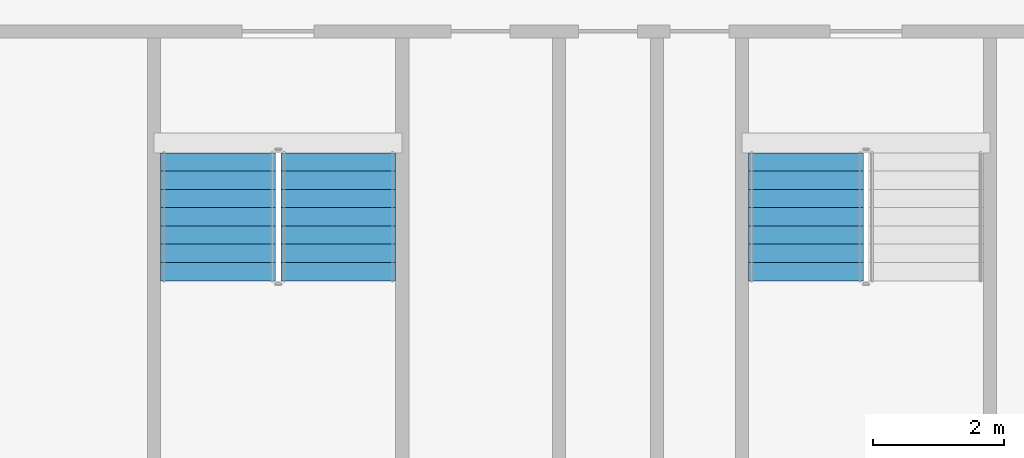
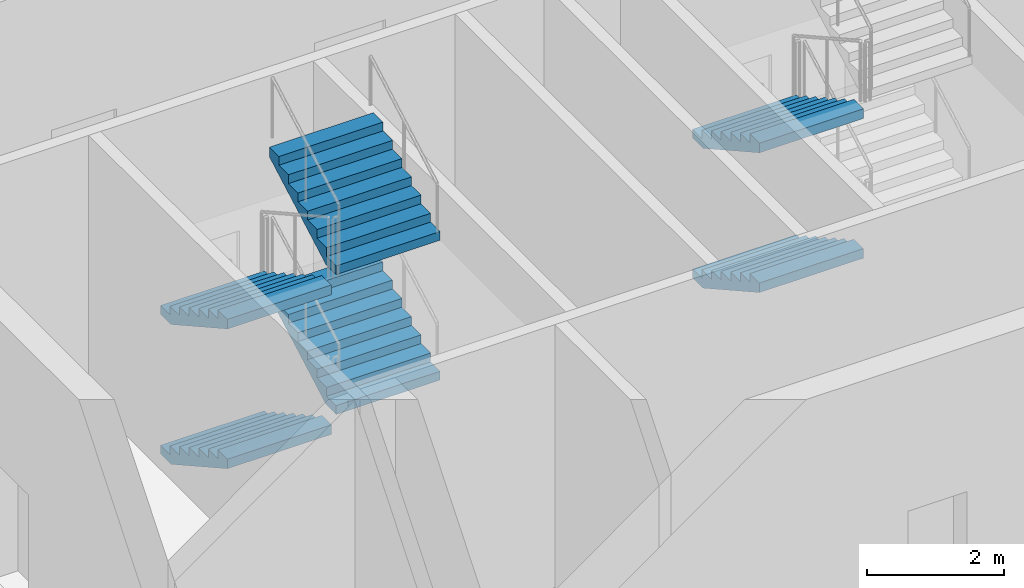
# One storey, part 6 of 21: 6 stair flights, 2 elements without a shape of their own.
"""IFC4 building model written with IfcOpenShell, lengths in metres."""

from ifc_helpers import new_model, si_unit, direction, frame, origin, place, context, subcontext, project, spatial, faceted_brep, material, type_object, element, aggregate, save


model = new_model("IFC4")

# Units and contexts
model_context = context("Model", 3, precision=1e-05, world=origin(), true_north=direction((0.0, 1.0)))
body_context = subcontext(model_context, "Body", "Model", "MODEL_VIEW")
ifc_project = project(units=[si_unit("LENGTHUNIT", "METRE"), si_unit("AREAUNIT", "SQUARE_METRE"), si_unit("VOLUMEUNIT", "CUBIC_METRE"), si_unit("PLANEANGLEUNIT", "RADIAN"), si_unit("MASSUNIT", "GRAM", prefix="KILO")], contexts=[model_context])

# Site, building, storey
site_placement = place(None, origin())
site = spatial("IfcSite", under=ifc_project, at=site_placement, CompositionType="ELEMENT")
building_placement = place(site_placement, origin())
building = spatial("IfcBuilding", under=site, at=building_placement, Name="Tarsis Ring Headquarters", CompositionType="ELEMENT")
storey_placement = place(building_placement, frame((0.0, 0.0, 398.60009765625)))
storey = spatial("IfcBuildingStorey", under=building, at=storey_placement, Name="L94", CompositionType="ELEMENT", Elevation=398.60009765625)

# Stair, stair flights
ifc_material_1 = material(Name="Core stair 1760")
stair_type = type_object("IfcStairType", Name="Core stair 1760", PredefinedType="HALF_TURN_STAIR", material=ifc_material_1)
stair_1_placement = place(storey_placement, origin())
stair_1 = element("IfcStair", 1, at=stair_1_placement, inside=storey, type_object=stair_type, Name="L94 Exit stair C", PredefinedType="HALF_TURN_STAIR")
ifc_material_2 = material(Name="Concrete C40/50", Category="concrete")
stair_flight_type = type_object("IfcStairFlightType", Name="Core stair flight 1760", PredefinedType="STRAIGHT", material=ifc_material_2)
stair_flight_1_placement = place(storey_placement, frame((-5.419921875, -3.659912109375, 0.0), z_axis=(0.0, 0.0, 1.0), x_axis=(0.0, -1.0, 0.0)))
stair_flight_1 = element("IfcStairFlight", 2, at=stair_flight_1_placement, type_object=stair_flight_type, Name="Stair ST3 flight 1", NumberOfRisers=8, NumberOfTreads=7, PredefinedType="STRAIGHT", RiserHeight=0.15625, TreadLength=0.28, context=body_context, shape_type="Brep", body=[
    faceted_brep([(0.0, 0.8798828125, 0.0), (0.0, 0.8798828125, 0.15625), (0.280029296875, 0.8798828125, 0.15625), (0.280029296875, 0.8798828125, 0.3125), (0.56005859375, 0.8798828125, 0.3125), (0.56005859375, 0.8798828125, 0.46875), (0.840087890625, 0.8798828125, 0.46875), (0.840087890625, 0.8798828125, 0.625), (1.1201171875, 0.8798828125, 0.625), (1.1201171875, 0.8798828125, 0.78125), (1.39990234375, 0.8798828125, 0.78125), (1.39990234375, 0.8798828125, 0.9375), (1.679931640625, 0.8798828125, 0.9375), (1.679931640625, 0.8798828125, 1.09375), (1.9599609375, 0.8798828125, 1.09375), (1.9599609375, 0.8798828125, 0.922119140625), (0.3076171875, 0.8798828125, 0.0), (0.3076171875, -0.8798828125, 0.0), (1.9599609375, -0.8798828125, 0.922119140625), (1.9599609375, -0.8798828125, 1.09375), (1.679931640625, -0.8798828125, 1.09375), (1.679931640625, -0.8798828125, 0.9375), (1.39990234375, -0.8798828125, 0.9375), (1.39990234375, -0.8798828125, 0.78125), (1.1201171875, -0.8798828125, 0.78125), (1.1201171875, -0.8798828125, 0.625), (0.840087890625, -0.8798828125, 0.625), (0.840087890625, -0.8798828125, 0.46875), (0.56005859375, -0.8798828125, 0.46875), (0.56005859375, -0.8798828125, 0.3125), (0.280029296875, -0.8798828125, 0.3125), (0.280029296875, -0.8798828125, 0.15625), (0.0, -0.8798828125, 0.15625), (0.0, -0.8798828125, 0.0), (0.0, -0.43994140625, 0.15625), (0.0, -0.43994140625, 0.0), (0.0, 0.0, 0.15625), (0.0, 0.0, 0.0), (0.0, 0.43994140625, 0.15625), (0.0, 0.43994140625, 0.0), (0.280029296875, -0.43994140625, 0.15625), (0.280029296875, 0.0, 0.15625), (0.280029296875, 0.43994140625, 0.15625), (0.280029296875, -0.43994140625, 0.3125), (0.280029296875, 0.0, 0.3125), (0.280029296875, 0.43994140625, 0.3125), (0.56005859375, -0.43994140625, 0.3125), (0.56005859375, 0.0, 0.3125), (0.56005859375, 0.43994140625, 0.3125), (0.56005859375, -0.43994140625, 0.46875), (0.56005859375, 0.0, 0.46875), (0.56005859375, 0.43994140625, 0.46875), (0.840087890625, -0.43994140625, 0.46875), (0.840087890625, 0.0, 0.46875), (0.840087890625, 0.43994140625, 0.46875), (0.840087890625, -0.43994140625, 0.625), (0.840087890625, 0.0, 0.625), (0.840087890625, 0.43994140625, 0.625), (1.1201171875, -0.43994140625, 0.625), (1.1201171875, 0.0, 0.625), (1.1201171875, 0.43994140625, 0.625), (1.1201171875, -0.43994140625, 0.78125), (1.1201171875, 0.0, 0.78125), (1.1201171875, 0.43994140625, 0.78125), (1.39990234375, -0.43994140625, 0.78125), (1.39990234375, 0.0, 0.78125), (1.39990234375, 0.43994140625, 0.78125), (1.39990234375, -0.43994140625, 0.9375), (1.39990234375, 0.0, 0.9375), (1.39990234375, 0.43994140625, 0.9375), (1.679931640625, -0.43994140625, 0.9375), (1.679931640625, 0.0, 0.9375), (1.679931640625, 0.43994140625, 0.9375), (1.679931640625, -0.43994140625, 1.09375), (1.679931640625, 0.0, 1.09375), (1.679931640625, 0.43994140625, 1.09375), (1.9599609375, -0.43994140625, 1.09375), (1.9599609375, 0.0, 1.09375), (1.9599609375, 0.43994140625, 1.09375), (1.9599609375, -0.43994140625, 0.922119140625), (1.9599609375, 0.0, 0.922119140625), (1.9599609375, 0.43994140625, 0.922119140625), (0.3076171875, -0.43994140625, 0.0), (0.3076171875, 0.0, 0.0), (0.3076171875, 0.43994140625, 0.0)], [[[0, 1, 2, 3, 4, 5, 6, 7, 8, 9, 10, 11, 12, 13, 14, 15, 16]], [[17, 18, 19, 20, 21, 22, 23, 24, 25, 26, 27, 28, 29, 30, 31, 32, 33]], [[33, 32, 34, 35]], [[35, 34, 36, 37]], [[37, 36, 38, 39]], [[39, 38, 1, 0]], [[32, 31, 40, 34]], [[34, 40, 41, 36]], [[36, 41, 42, 38]], [[38, 42, 2, 1]], [[31, 30, 43, 40]], [[40, 43, 44, 41]], [[41, 44, 45, 42]], [[42, 45, 3, 2]], [[30, 29, 46, 43]], [[43, 46, 47, 44]], [[44, 47, 48, 45]], [[45, 48, 4, 3]], [[29, 28, 49, 46]], [[46, 49, 50, 47]], [[47, 50, 51, 48]], [[48, 51, 5, 4]], [[28, 27, 52, 49]], [[49, 52, 53, 50]], [[50, 53, 54, 51]], [[51, 54, 6, 5]], [[27, 26, 55, 52]], [[52, 55, 56, 53]], [[53, 56, 57, 54]], [[54, 57, 7, 6]], [[26, 25, 58, 55]], [[55, 58, 59, 56]], [[56, 59, 60, 57]], [[57, 60, 8, 7]], [[25, 24, 61, 58]], [[58, 61, 62, 59]], [[59, 62, 63, 60]], [[60, 63, 9, 8]], [[24, 23, 64, 61]], [[61, 64, 65, 62]], [[62, 65, 66, 63]], [[63, 66, 10, 9]], [[23, 22, 67, 64]], [[64, 67, 68, 65]], [[65, 68, 69, 66]], [[66, 69, 11, 10]], [[22, 21, 70, 67]], [[67, 70, 71, 68]], [[68, 71, 72, 69]], [[69, 72, 12, 11]], [[21, 20, 73, 70]], [[70, 73, 74, 71]], [[71, 74, 75, 72]], [[72, 75, 13, 12]], [[20, 19, 76, 73]], [[73, 76, 77, 74]], [[74, 77, 78, 75]], [[75, 78, 14, 13]], [[19, 18, 79, 76]], [[76, 79, 80, 77]], [[77, 80, 81, 78]], [[78, 81, 15, 14]], [[18, 17, 82, 79]], [[79, 82, 83, 80]], [[80, 83, 84, 81]], [[81, 84, 16, 15]], [[17, 33, 35, 82]], [[82, 35, 37, 83]], [[83, 37, 39, 84]], [[84, 39, 0, 16]]]),
])
stair_flight_2_placement = place(storey_placement, frame((-3.580078125, -5.6201171875, 1.25), z_axis=(0.0, 0.0, 1.0), x_axis=(0.0, 1.0, 0.0)))
stair_flight_2 = element("IfcStairFlight", 3, at=stair_flight_2_placement, type_object=stair_flight_type, Name="Stair ST3 flight 2", NumberOfRisers=8, NumberOfTreads=7, PredefinedType="STRAIGHT", RiserHeight=0.15625, TreadLength=0.28, context=body_context, shape_type="Brep", body=[
    faceted_brep([(0.0, 0.8798828125, 0.0), (0.0, 0.8798828125, 0.15625), (0.280029296875, 0.8798828125, 0.15625), (0.280029296875, 0.8798828125, 0.3125), (0.56005859375, 0.8798828125, 0.3125), (0.56005859375, 0.8798828125, 0.46875), (0.840087890625, 0.8798828125, 0.46875), (0.840087890625, 0.8798828125, 0.625), (1.1201171875, 0.8798828125, 0.625), (1.1201171875, 0.8798828125, 0.78125), (1.39990234375, 0.8798828125, 0.78125), (1.39990234375, 0.8798828125, 0.9375), (1.679931640625, 0.8798828125, 0.9375), (1.679931640625, 0.8798828125, 1.09375), (1.9599609375, 0.8798828125, 1.09375), (1.9599609375, 0.8798828125, 0.922119140625), (0.3076171875, 0.8798828125, 0.0), (0.3076171875, -0.8798828125, 0.0), (1.9599609375, -0.8798828125, 0.922119140625), (1.9599609375, -0.8798828125, 1.09375), (1.679931640625, -0.8798828125, 1.09375), (1.679931640625, -0.8798828125, 0.9375), (1.39990234375, -0.8798828125, 0.9375), (1.39990234375, -0.8798828125, 0.78125), (1.1201171875, -0.8798828125, 0.78125), (1.1201171875, -0.8798828125, 0.625), (0.840087890625, -0.8798828125, 0.625), (0.840087890625, -0.8798828125, 0.46875), (0.56005859375, -0.8798828125, 0.46875), (0.56005859375, -0.8798828125, 0.3125), (0.280029296875, -0.8798828125, 0.3125), (0.280029296875, -0.8798828125, 0.15625), (0.0, -0.8798828125, 0.15625), (0.0, -0.8798828125, 0.0), (0.0, -0.43994140625, 0.15625), (0.0, -0.43994140625, 0.0), (0.0, 0.0, 0.15625), (0.0, 0.0, 0.0), (0.0, 0.43994140625, 0.15625), (0.0, 0.43994140625, 0.0), (0.280029296875, -0.43994140625, 0.15625), (0.280029296875, 0.0, 0.15625), (0.280029296875, 0.43994140625, 0.15625), (0.280029296875, -0.43994140625, 0.3125), (0.280029296875, 0.0, 0.3125), (0.280029296875, 0.43994140625, 0.3125), (0.56005859375, -0.43994140625, 0.3125), (0.56005859375, 0.0, 0.3125), (0.56005859375, 0.43994140625, 0.3125), (0.56005859375, -0.43994140625, 0.46875), (0.56005859375, 0.0, 0.46875), (0.56005859375, 0.43994140625, 0.46875), (0.840087890625, -0.43994140625, 0.46875), (0.840087890625, 0.0, 0.46875), (0.840087890625, 0.43994140625, 0.46875), (0.840087890625, -0.43994140625, 0.625), (0.840087890625, 0.0, 0.625), (0.840087890625, 0.43994140625, 0.625), (1.1201171875, -0.43994140625, 0.625), (1.1201171875, 0.0, 0.625), (1.1201171875, 0.43994140625, 0.625), (1.1201171875, -0.43994140625, 0.78125), (1.1201171875, 0.0, 0.78125), (1.1201171875, 0.43994140625, 0.78125), (1.39990234375, -0.43994140625, 0.78125), (1.39990234375, 0.0, 0.78125), (1.39990234375, 0.43994140625, 0.78125), (1.39990234375, -0.43994140625, 0.9375), (1.39990234375, 0.0, 0.9375), (1.39990234375, 0.43994140625, 0.9375), (1.679931640625, -0.43994140625, 0.9375), (1.679931640625, 0.0, 0.9375), (1.679931640625, 0.43994140625, 0.9375), (1.679931640625, -0.43994140625, 1.09375), (1.679931640625, 0.0, 1.09375), (1.679931640625, 0.43994140625, 1.09375), (1.9599609375, -0.43994140625, 1.09375), (1.9599609375, 0.0, 1.09375), (1.9599609375, 0.43994140625, 1.09375), (1.9599609375, -0.43994140625, 0.922119140625), (1.9599609375, 0.0, 0.922119140625), (1.9599609375, 0.43994140625, 0.922119140625), (0.3076171875, -0.43994140625, 0.0), (0.3076171875, 0.0, 0.0), (0.3076171875, 0.43994140625, 0.0)], [[[0, 1, 2, 3, 4, 5, 6, 7, 8, 9, 10, 11, 12, 13, 14, 15, 16]], [[17, 18, 19, 20, 21, 22, 23, 24, 25, 26, 27, 28, 29, 30, 31, 32, 33]], [[33, 32, 34, 35]], [[35, 34, 36, 37]], [[37, 36, 38, 39]], [[39, 38, 1, 0]], [[32, 31, 40, 34]], [[34, 40, 41, 36]], [[36, 41, 42, 38]], [[38, 42, 2, 1]], [[31, 30, 43, 40]], [[40, 43, 44, 41]], [[41, 44, 45, 42]], [[42, 45, 3, 2]], [[30, 29, 46, 43]], [[43, 46, 47, 44]], [[44, 47, 48, 45]], [[45, 48, 4, 3]], [[29, 28, 49, 46]], [[46, 49, 50, 47]], [[47, 50, 51, 48]], [[48, 51, 5, 4]], [[28, 27, 52, 49]], [[49, 52, 53, 50]], [[50, 53, 54, 51]], [[51, 54, 6, 5]], [[27, 26, 55, 52]], [[52, 55, 56, 53]], [[53, 56, 57, 54]], [[54, 57, 7, 6]], [[26, 25, 58, 55]], [[55, 58, 59, 56]], [[56, 59, 60, 57]], [[57, 60, 8, 7]], [[25, 24, 61, 58]], [[58, 61, 62, 59]], [[59, 62, 63, 60]], [[60, 63, 9, 8]], [[24, 23, 64, 61]], [[61, 64, 65, 62]], [[62, 65, 66, 63]], [[63, 66, 10, 9]], [[23, 22, 67, 64]], [[64, 67, 68, 65]], [[65, 68, 69, 66]], [[66, 69, 11, 10]], [[22, 21, 70, 67]], [[67, 70, 71, 68]], [[68, 71, 72, 69]], [[69, 72, 12, 11]], [[21, 20, 73, 70]], [[70, 73, 74, 71]], [[71, 74, 75, 72]], [[72, 75, 13, 12]], [[20, 19, 76, 73]], [[73, 76, 77, 74]], [[74, 77, 78, 75]], [[75, 78, 14, 13]], [[19, 18, 79, 76]], [[76, 79, 80, 77]], [[77, 80, 81, 78]], [[78, 81, 15, 14]], [[18, 17, 82, 79]], [[79, 82, 83, 80]], [[80, 83, 84, 81]], [[81, 84, 16, 15]], [[17, 33, 35, 82]], [[82, 35, 37, 83]], [[83, 37, 39, 84]], [[84, 39, 0, 16]]]),
])
stair_flight_3_placement = place(storey_placement, frame((-5.419921875, -3.659912109375, 2.5), z_axis=(0.0, 0.0, 1.0), x_axis=(0.0, -1.0, 0.0)))
stair_flight_3 = element("IfcStairFlight", 4, at=stair_flight_3_placement, type_object=stair_flight_type, Name="Stair ST3 flight 3", NumberOfRisers=8, NumberOfTreads=7, PredefinedType="STRAIGHT", RiserHeight=0.15625, TreadLength=0.28, context=body_context, shape_type="Brep", body=[
    faceted_brep([(0.0, 0.8798828125, 0.0), (0.0, 0.8798828125, 0.15625), (0.280029296875, 0.8798828125, 0.15625), (0.280029296875, 0.8798828125, 0.3125), (0.56005859375, 0.8798828125, 0.3125), (0.56005859375, 0.8798828125, 0.46875), (0.840087890625, 0.8798828125, 0.46875), (0.840087890625, 0.8798828125, 0.625), (1.1201171875, 0.8798828125, 0.625), (1.1201171875, 0.8798828125, 0.78125), (1.39990234375, 0.8798828125, 0.78125), (1.39990234375, 0.8798828125, 0.9375), (1.679931640625, 0.8798828125, 0.9375), (1.679931640625, 0.8798828125, 1.09375), (1.9599609375, 0.8798828125, 1.09375), (1.9599609375, 0.8798828125, 0.922119140625), (0.3076171875, 0.8798828125, 0.0), (0.3076171875, -0.8798828125, 0.0), (1.9599609375, -0.8798828125, 0.922119140625), (1.9599609375, -0.8798828125, 1.09375), (1.679931640625, -0.8798828125, 1.09375), (1.679931640625, -0.8798828125, 0.9375), (1.39990234375, -0.8798828125, 0.9375), (1.39990234375, -0.8798828125, 0.78125), (1.1201171875, -0.8798828125, 0.78125), (1.1201171875, -0.8798828125, 0.625), (0.840087890625, -0.8798828125, 0.625), (0.840087890625, -0.8798828125, 0.46875), (0.56005859375, -0.8798828125, 0.46875), (0.56005859375, -0.8798828125, 0.3125), (0.280029296875, -0.8798828125, 0.3125), (0.280029296875, -0.8798828125, 0.15625), (0.0, -0.8798828125, 0.15625), (0.0, -0.8798828125, 0.0), (0.0, -0.43994140625, 0.15625), (0.0, -0.43994140625, 0.0), (0.0, 0.0, 0.15625), (0.0, 0.0, 0.0), (0.0, 0.43994140625, 0.15625), (0.0, 0.43994140625, 0.0), (0.280029296875, -0.43994140625, 0.15625), (0.280029296875, 0.0, 0.15625), (0.280029296875, 0.43994140625, 0.15625), (0.280029296875, -0.43994140625, 0.3125), (0.280029296875, 0.0, 0.3125), (0.280029296875, 0.43994140625, 0.3125), (0.56005859375, -0.43994140625, 0.3125), (0.56005859375, 0.0, 0.3125), (0.56005859375, 0.43994140625, 0.3125), (0.56005859375, -0.43994140625, 0.46875), (0.56005859375, 0.0, 0.46875), (0.56005859375, 0.43994140625, 0.46875), (0.840087890625, -0.43994140625, 0.46875), (0.840087890625, 0.0, 0.46875), (0.840087890625, 0.43994140625, 0.46875), (0.840087890625, -0.43994140625, 0.625), (0.840087890625, 0.0, 0.625), (0.840087890625, 0.43994140625, 0.625), (1.1201171875, -0.43994140625, 0.625), (1.1201171875, 0.0, 0.625), (1.1201171875, 0.43994140625, 0.625), (1.1201171875, -0.43994140625, 0.78125), (1.1201171875, 0.0, 0.78125), (1.1201171875, 0.43994140625, 0.78125), (1.39990234375, -0.43994140625, 0.78125), (1.39990234375, 0.0, 0.78125), (1.39990234375, 0.43994140625, 0.78125), (1.39990234375, -0.43994140625, 0.9375), (1.39990234375, 0.0, 0.9375), (1.39990234375, 0.43994140625, 0.9375), (1.679931640625, -0.43994140625, 0.9375), (1.679931640625, 0.0, 0.9375), (1.679931640625, 0.43994140625, 0.9375), (1.679931640625, -0.43994140625, 1.09375), (1.679931640625, 0.0, 1.09375), (1.679931640625, 0.43994140625, 1.09375), (1.9599609375, -0.43994140625, 1.09375), (1.9599609375, 0.0, 1.09375), (1.9599609375, 0.43994140625, 1.09375), (1.9599609375, -0.43994140625, 0.922119140625), (1.9599609375, 0.0, 0.922119140625), (1.9599609375, 0.43994140625, 0.922119140625), (0.3076171875, -0.43994140625, 0.0), (0.3076171875, 0.0, 0.0), (0.3076171875, 0.43994140625, 0.0)], [[[0, 1, 2, 3, 4, 5, 6, 7, 8, 9, 10, 11, 12, 13, 14, 15, 16]], [[17, 18, 19, 20, 21, 22, 23, 24, 25, 26, 27, 28, 29, 30, 31, 32, 33]], [[33, 32, 34, 35]], [[35, 34, 36, 37]], [[37, 36, 38, 39]], [[39, 38, 1, 0]], [[32, 31, 40, 34]], [[34, 40, 41, 36]], [[36, 41, 42, 38]], [[38, 42, 2, 1]], [[31, 30, 43, 40]], [[40, 43, 44, 41]], [[41, 44, 45, 42]], [[42, 45, 3, 2]], [[30, 29, 46, 43]], [[43, 46, 47, 44]], [[44, 47, 48, 45]], [[45, 48, 4, 3]], [[29, 28, 49, 46]], [[46, 49, 50, 47]], [[47, 50, 51, 48]], [[48, 51, 5, 4]], [[28, 27, 52, 49]], [[49, 52, 53, 50]], [[50, 53, 54, 51]], [[51, 54, 6, 5]], [[27, 26, 55, 52]], [[52, 55, 56, 53]], [[53, 56, 57, 54]], [[54, 57, 7, 6]], [[26, 25, 58, 55]], [[55, 58, 59, 56]], [[56, 59, 60, 57]], [[57, 60, 8, 7]], [[25, 24, 61, 58]], [[58, 61, 62, 59]], [[59, 62, 63, 60]], [[60, 63, 9, 8]], [[24, 23, 64, 61]], [[61, 64, 65, 62]], [[62, 65, 66, 63]], [[63, 66, 10, 9]], [[23, 22, 67, 64]], [[64, 67, 68, 65]], [[65, 68, 69, 66]], [[66, 69, 11, 10]], [[22, 21, 70, 67]], [[67, 70, 71, 68]], [[68, 71, 72, 69]], [[69, 72, 12, 11]], [[21, 20, 73, 70]], [[70, 73, 74, 71]], [[71, 74, 75, 72]], [[72, 75, 13, 12]], [[20, 19, 76, 73]], [[73, 76, 77, 74]], [[74, 77, 78, 75]], [[75, 78, 14, 13]], [[19, 18, 79, 76]], [[76, 79, 80, 77]], [[77, 80, 81, 78]], [[78, 81, 15, 14]], [[18, 17, 82, 79]], [[79, 82, 83, 80]], [[80, 83, 84, 81]], [[81, 84, 16, 15]], [[17, 33, 35, 82]], [[82, 35, 37, 83]], [[83, 37, 39, 84]], [[84, 39, 0, 16]]]),
])
stair_flight_4_placement = place(storey_placement, frame((-3.580078125, -5.6201171875, 3.75), z_axis=(0.0, 0.0, 1.0), x_axis=(0.0, 1.0, 0.0)))
stair_flight_4 = element("IfcStairFlight", 5, at=stair_flight_4_placement, type_object=stair_flight_type, Name="Stair ST3 flight 4", NumberOfRisers=8, NumberOfTreads=7, PredefinedType="STRAIGHT", RiserHeight=0.15625, TreadLength=0.28, context=body_context, shape_type="Brep", body=[
    faceted_brep([(0.0, 0.8798828125, 0.0), (0.0, 0.8798828125, 0.15625), (0.280029296875, 0.8798828125, 0.15625), (0.280029296875, 0.8798828125, 0.3125), (0.56005859375, 0.8798828125, 0.3125), (0.56005859375, 0.8798828125, 0.46875), (0.840087890625, 0.8798828125, 0.46875), (0.840087890625, 0.8798828125, 0.625), (1.1201171875, 0.8798828125, 0.625), (1.1201171875, 0.8798828125, 0.78125), (1.39990234375, 0.8798828125, 0.78125), (1.39990234375, 0.8798828125, 0.9375), (1.679931640625, 0.8798828125, 0.9375), (1.679931640625, 0.8798828125, 1.09375), (1.9599609375, 0.8798828125, 1.09375), (1.9599609375, 0.8798828125, 0.922119140625), (0.3076171875, 0.8798828125, 0.0), (0.3076171875, -0.8798828125, 0.0), (1.9599609375, -0.8798828125, 0.922119140625), (1.9599609375, -0.8798828125, 1.09375), (1.679931640625, -0.8798828125, 1.09375), (1.679931640625, -0.8798828125, 0.9375), (1.39990234375, -0.8798828125, 0.9375), (1.39990234375, -0.8798828125, 0.78125), (1.1201171875, -0.8798828125, 0.78125), (1.1201171875, -0.8798828125, 0.625), (0.840087890625, -0.8798828125, 0.625), (0.840087890625, -0.8798828125, 0.46875), (0.56005859375, -0.8798828125, 0.46875), (0.56005859375, -0.8798828125, 0.3125), (0.280029296875, -0.8798828125, 0.3125), (0.280029296875, -0.8798828125, 0.15625), (0.0, -0.8798828125, 0.15625), (0.0, -0.8798828125, 0.0), (0.0, -0.43994140625, 0.15625), (0.0, -0.43994140625, 0.0), (0.0, 0.0, 0.15625), (0.0, 0.0, 0.0), (0.0, 0.43994140625, 0.15625), (0.0, 0.43994140625, 0.0), (0.280029296875, -0.43994140625, 0.15625), (0.280029296875, 0.0, 0.15625), (0.280029296875, 0.43994140625, 0.15625), (0.280029296875, -0.43994140625, 0.3125), (0.280029296875, 0.0, 0.3125), (0.280029296875, 0.43994140625, 0.3125), (0.56005859375, -0.43994140625, 0.3125), (0.56005859375, 0.0, 0.3125), (0.56005859375, 0.43994140625, 0.3125), (0.56005859375, -0.43994140625, 0.46875), (0.56005859375, 0.0, 0.46875), (0.56005859375, 0.43994140625, 0.46875), (0.840087890625, -0.43994140625, 0.46875), (0.840087890625, 0.0, 0.46875), (0.840087890625, 0.43994140625, 0.46875), (0.840087890625, -0.43994140625, 0.625), (0.840087890625, 0.0, 0.625), (0.840087890625, 0.43994140625, 0.625), (1.1201171875, -0.43994140625, 0.625), (1.1201171875, 0.0, 0.625), (1.1201171875, 0.43994140625, 0.625), (1.1201171875, -0.43994140625, 0.78125), (1.1201171875, 0.0, 0.78125), (1.1201171875, 0.43994140625, 0.78125), (1.39990234375, -0.43994140625, 0.78125), (1.39990234375, 0.0, 0.78125), (1.39990234375, 0.43994140625, 0.78125), (1.39990234375, -0.43994140625, 0.9375), (1.39990234375, 0.0, 0.9375), (1.39990234375, 0.43994140625, 0.9375), (1.679931640625, -0.43994140625, 0.9375), (1.679931640625, 0.0, 0.9375), (1.679931640625, 0.43994140625, 0.9375), (1.679931640625, -0.43994140625, 1.09375), (1.679931640625, 0.0, 1.09375), (1.679931640625, 0.43994140625, 1.09375), (1.9599609375, -0.43994140625, 1.09375), (1.9599609375, 0.0, 1.09375), (1.9599609375, 0.43994140625, 1.09375), (1.9599609375, -0.43994140625, 0.922119140625), (1.9599609375, 0.0, 0.922119140625), (1.9599609375, 0.43994140625, 0.922119140625), (0.3076171875, -0.43994140625, 0.0), (0.3076171875, 0.0, 0.0), (0.3076171875, 0.43994140625, 0.0)], [[[0, 1, 2, 3, 4, 5, 6, 7, 8, 9, 10, 11, 12, 13, 14, 15, 16]], [[17, 18, 19, 20, 21, 22, 23, 24, 25, 26, 27, 28, 29, 30, 31, 32, 33]], [[33, 32, 34, 35]], [[35, 34, 36, 37]], [[37, 36, 38, 39]], [[39, 38, 1, 0]], [[32, 31, 40, 34]], [[34, 40, 41, 36]], [[36, 41, 42, 38]], [[38, 42, 2, 1]], [[31, 30, 43, 40]], [[40, 43, 44, 41]], [[41, 44, 45, 42]], [[42, 45, 3, 2]], [[30, 29, 46, 43]], [[43, 46, 47, 44]], [[44, 47, 48, 45]], [[45, 48, 4, 3]], [[29, 28, 49, 46]], [[46, 49, 50, 47]], [[47, 50, 51, 48]], [[48, 51, 5, 4]], [[28, 27, 52, 49]], [[49, 52, 53, 50]], [[50, 53, 54, 51]], [[51, 54, 6, 5]], [[27, 26, 55, 52]], [[52, 55, 56, 53]], [[53, 56, 57, 54]], [[54, 57, 7, 6]], [[26, 25, 58, 55]], [[55, 58, 59, 56]], [[56, 59, 60, 57]], [[57, 60, 8, 7]], [[25, 24, 61, 58]], [[58, 61, 62, 59]], [[59, 62, 63, 60]], [[60, 63, 9, 8]], [[24, 23, 64, 61]], [[61, 64, 65, 62]], [[62, 65, 66, 63]], [[63, 66, 10, 9]], [[23, 22, 67, 64]], [[64, 67, 68, 65]], [[65, 68, 69, 66]], [[66, 69, 11, 10]], [[22, 21, 70, 67]], [[67, 70, 71, 68]], [[68, 71, 72, 69]], [[69, 72, 12, 11]], [[21, 20, 73, 70]], [[70, 73, 74, 71]], [[71, 74, 75, 72]], [[72, 75, 13, 12]], [[20, 19, 76, 73]], [[73, 76, 77, 74]], [[74, 77, 78, 75]], [[75, 78, 14, 13]], [[19, 18, 79, 76]], [[76, 79, 80, 77]], [[77, 80, 81, 78]], [[78, 81, 15, 14]], [[18, 17, 82, 79]], [[79, 82, 83, 80]], [[80, 83, 84, 81]], [[81, 84, 16, 15]], [[17, 33, 35, 82]], [[82, 35, 37, 83]], [[83, 37, 39, 84]], [[84, 39, 0, 16]]]),
])
aggregate(stair_1, [stair_flight_1, stair_flight_2, stair_flight_3, stair_flight_4])

stair_2_placement = place(storey_placement, origin())
stair_2 = element("IfcStair", 6, at=stair_2_placement, inside=storey, type_object=stair_type, Name="L94 Exit stair D", PredefinedType="HALF_TURN_STAIR")
stair_flight_5_placement = place(storey_placement, frame((3.580078125, -3.659912109375, 0.0), z_axis=(0.0, 0.0, 1.0), x_axis=(0.0, -1.0, 0.0)))
stair_flight_5 = element("IfcStairFlight", 7, at=stair_flight_5_placement, type_object=stair_flight_type, Name="Stair ST4 flight 1", NumberOfRisers=8, NumberOfTreads=7, PredefinedType="STRAIGHT", RiserHeight=0.15625, TreadLength=0.28, context=body_context, shape_type="Brep", body=[
    faceted_brep([(0.0, 0.8798828125, 0.0), (0.0, 0.8798828125, 0.15625), (0.280029296875, 0.8798828125, 0.15625), (0.280029296875, 0.8798828125, 0.3125), (0.56005859375, 0.8798828125, 0.3125), (0.56005859375, 0.8798828125, 0.46875), (0.840087890625, 0.8798828125, 0.46875), (0.840087890625, 0.8798828125, 0.625), (1.1201171875, 0.8798828125, 0.625), (1.1201171875, 0.8798828125, 0.78125), (1.39990234375, 0.8798828125, 0.78125), (1.39990234375, 0.8798828125, 0.9375), (1.679931640625, 0.8798828125, 0.9375), (1.679931640625, 0.8798828125, 1.09375), (1.9599609375, 0.8798828125, 1.09375), (1.9599609375, 0.8798828125, 0.922119140625), (0.3076171875, 0.8798828125, 0.0), (0.3076171875, -0.8798828125, 0.0), (1.9599609375, -0.8798828125, 0.922119140625), (1.9599609375, -0.8798828125, 1.09375), (1.679931640625, -0.8798828125, 1.09375), (1.679931640625, -0.8798828125, 0.9375), (1.39990234375, -0.8798828125, 0.9375), (1.39990234375, -0.8798828125, 0.78125), (1.1201171875, -0.8798828125, 0.78125), (1.1201171875, -0.8798828125, 0.625), (0.840087890625, -0.8798828125, 0.625), (0.840087890625, -0.8798828125, 0.46875), (0.56005859375, -0.8798828125, 0.46875), (0.56005859375, -0.8798828125, 0.3125), (0.280029296875, -0.8798828125, 0.3125), (0.280029296875, -0.8798828125, 0.15625), (0.0, -0.8798828125, 0.15625), (0.0, -0.8798828125, 0.0), (0.0, -0.43994140625, 0.15625), (0.0, -0.43994140625, 0.0), (0.0, 0.0, 0.15625), (0.0, 0.0, 0.0), (0.0, 0.43994140625, 0.15625), (0.0, 0.43994140625, 0.0), (0.280029296875, -0.43994140625, 0.15625), (0.280029296875, 0.0, 0.15625), (0.280029296875, 0.43994140625, 0.15625), (0.280029296875, -0.43994140625, 0.3125), (0.280029296875, 0.0, 0.3125), (0.280029296875, 0.43994140625, 0.3125), (0.56005859375, -0.43994140625, 0.3125), (0.56005859375, 0.0, 0.3125), (0.56005859375, 0.43994140625, 0.3125), (0.56005859375, -0.43994140625, 0.46875), (0.56005859375, 0.0, 0.46875), (0.56005859375, 0.43994140625, 0.46875), (0.840087890625, -0.43994140625, 0.46875), (0.840087890625, 0.0, 0.46875), (0.840087890625, 0.43994140625, 0.46875), (0.840087890625, -0.43994140625, 0.625), (0.840087890625, 0.0, 0.625), (0.840087890625, 0.43994140625, 0.625), (1.1201171875, -0.43994140625, 0.625), (1.1201171875, 0.0, 0.625), (1.1201171875, 0.43994140625, 0.625), (1.1201171875, -0.43994140625, 0.78125), (1.1201171875, 0.0, 0.78125), (1.1201171875, 0.43994140625, 0.78125), (1.39990234375, -0.43994140625, 0.78125), (1.39990234375, 0.0, 0.78125), (1.39990234375, 0.43994140625, 0.78125), (1.39990234375, -0.43994140625, 0.9375), (1.39990234375, 0.0, 0.9375), (1.39990234375, 0.43994140625, 0.9375), (1.679931640625, -0.43994140625, 0.9375), (1.679931640625, 0.0, 0.9375), (1.679931640625, 0.43994140625, 0.9375), (1.679931640625, -0.43994140625, 1.09375), (1.679931640625, 0.0, 1.09375), (1.679931640625, 0.43994140625, 1.09375), (1.9599609375, -0.43994140625, 1.09375), (1.9599609375, 0.0, 1.09375), (1.9599609375, 0.43994140625, 1.09375), (1.9599609375, -0.43994140625, 0.922119140625), (1.9599609375, 0.0, 0.922119140625), (1.9599609375, 0.43994140625, 0.922119140625), (0.3076171875, -0.43994140625, 0.0), (0.3076171875, 0.0, 0.0), (0.3076171875, 0.43994140625, 0.0)], [[[0, 1, 2, 3, 4, 5, 6, 7, 8, 9, 10, 11, 12, 13, 14, 15, 16]], [[17, 18, 19, 20, 21, 22, 23, 24, 25, 26, 27, 28, 29, 30, 31, 32, 33]], [[33, 32, 34, 35]], [[35, 34, 36, 37]], [[37, 36, 38, 39]], [[39, 38, 1, 0]], [[32, 31, 40, 34]], [[34, 40, 41, 36]], [[36, 41, 42, 38]], [[38, 42, 2, 1]], [[31, 30, 43, 40]], [[40, 43, 44, 41]], [[41, 44, 45, 42]], [[42, 45, 3, 2]], [[30, 29, 46, 43]], [[43, 46, 47, 44]], [[44, 47, 48, 45]], [[45, 48, 4, 3]], [[29, 28, 49, 46]], [[46, 49, 50, 47]], [[47, 50, 51, 48]], [[48, 51, 5, 4]], [[28, 27, 52, 49]], [[49, 52, 53, 50]], [[50, 53, 54, 51]], [[51, 54, 6, 5]], [[27, 26, 55, 52]], [[52, 55, 56, 53]], [[53, 56, 57, 54]], [[54, 57, 7, 6]], [[26, 25, 58, 55]], [[55, 58, 59, 56]], [[56, 59, 60, 57]], [[57, 60, 8, 7]], [[25, 24, 61, 58]], [[58, 61, 62, 59]], [[59, 62, 63, 60]], [[60, 63, 9, 8]], [[24, 23, 64, 61]], [[61, 64, 65, 62]], [[62, 65, 66, 63]], [[63, 66, 10, 9]], [[23, 22, 67, 64]], [[64, 67, 68, 65]], [[65, 68, 69, 66]], [[66, 69, 11, 10]], [[22, 21, 70, 67]], [[67, 70, 71, 68]], [[68, 71, 72, 69]], [[69, 72, 12, 11]], [[21, 20, 73, 70]], [[70, 73, 74, 71]], [[71, 74, 75, 72]], [[72, 75, 13, 12]], [[20, 19, 76, 73]], [[73, 76, 77, 74]], [[74, 77, 78, 75]], [[75, 78, 14, 13]], [[19, 18, 79, 76]], [[76, 79, 80, 77]], [[77, 80, 81, 78]], [[78, 81, 15, 14]], [[18, 17, 82, 79]], [[79, 82, 83, 80]], [[80, 83, 84, 81]], [[81, 84, 16, 15]], [[17, 33, 35, 82]], [[82, 35, 37, 83]], [[83, 37, 39, 84]], [[84, 39, 0, 16]]]),
])
stair_flight_6_placement = place(storey_placement, frame((3.580078125, -3.659912109375, 2.5), z_axis=(0.0, 0.0, 1.0), x_axis=(0.0, -1.0, 0.0)))
stair_flight_6 = element("IfcStairFlight", 8, at=stair_flight_6_placement, type_object=stair_flight_type, Name="Stair ST4 flight 3", NumberOfRisers=8, NumberOfTreads=7, PredefinedType="STRAIGHT", RiserHeight=0.15625, TreadLength=0.28, context=body_context, shape_type="Brep", body=[
    faceted_brep([(0.0, 0.8798828125, 0.0), (0.0, 0.8798828125, 0.15625), (0.280029296875, 0.8798828125, 0.15625), (0.280029296875, 0.8798828125, 0.3125), (0.56005859375, 0.8798828125, 0.3125), (0.56005859375, 0.8798828125, 0.46875), (0.840087890625, 0.8798828125, 0.46875), (0.840087890625, 0.8798828125, 0.625), (1.1201171875, 0.8798828125, 0.625), (1.1201171875, 0.8798828125, 0.78125), (1.39990234375, 0.8798828125, 0.78125), (1.39990234375, 0.8798828125, 0.9375), (1.679931640625, 0.8798828125, 0.9375), (1.679931640625, 0.8798828125, 1.09375), (1.9599609375, 0.8798828125, 1.09375), (1.9599609375, 0.8798828125, 0.922119140625), (0.3076171875, 0.8798828125, 0.0), (0.3076171875, -0.8798828125, 0.0), (1.9599609375, -0.8798828125, 0.922119140625), (1.9599609375, -0.8798828125, 1.09375), (1.679931640625, -0.8798828125, 1.09375), (1.679931640625, -0.8798828125, 0.9375), (1.39990234375, -0.8798828125, 0.9375), (1.39990234375, -0.8798828125, 0.78125), (1.1201171875, -0.8798828125, 0.78125), (1.1201171875, -0.8798828125, 0.625), (0.840087890625, -0.8798828125, 0.625), (0.840087890625, -0.8798828125, 0.46875), (0.56005859375, -0.8798828125, 0.46875), (0.56005859375, -0.8798828125, 0.3125), (0.280029296875, -0.8798828125, 0.3125), (0.280029296875, -0.8798828125, 0.15625), (0.0, -0.8798828125, 0.15625), (0.0, -0.8798828125, 0.0), (0.0, -0.43994140625, 0.15625), (0.0, -0.43994140625, 0.0), (0.0, 0.0, 0.15625), (0.0, 0.0, 0.0), (0.0, 0.43994140625, 0.15625), (0.0, 0.43994140625, 0.0), (0.280029296875, -0.43994140625, 0.15625), (0.280029296875, 0.0, 0.15625), (0.280029296875, 0.43994140625, 0.15625), (0.280029296875, -0.43994140625, 0.3125), (0.280029296875, 0.0, 0.3125), (0.280029296875, 0.43994140625, 0.3125), (0.56005859375, -0.43994140625, 0.3125), (0.56005859375, 0.0, 0.3125), (0.56005859375, 0.43994140625, 0.3125), (0.56005859375, -0.43994140625, 0.46875), (0.56005859375, 0.0, 0.46875), (0.56005859375, 0.43994140625, 0.46875), (0.840087890625, -0.43994140625, 0.46875), (0.840087890625, 0.0, 0.46875), (0.840087890625, 0.43994140625, 0.46875), (0.840087890625, -0.43994140625, 0.625), (0.840087890625, 0.0, 0.625), (0.840087890625, 0.43994140625, 0.625), (1.1201171875, -0.43994140625, 0.625), (1.1201171875, 0.0, 0.625), (1.1201171875, 0.43994140625, 0.625), (1.1201171875, -0.43994140625, 0.78125), (1.1201171875, 0.0, 0.78125), (1.1201171875, 0.43994140625, 0.78125), (1.39990234375, -0.43994140625, 0.78125), (1.39990234375, 0.0, 0.78125), (1.39990234375, 0.43994140625, 0.78125), (1.39990234375, -0.43994140625, 0.9375), (1.39990234375, 0.0, 0.9375), (1.39990234375, 0.43994140625, 0.9375), (1.679931640625, -0.43994140625, 0.9375), (1.679931640625, 0.0, 0.9375), (1.679931640625, 0.43994140625, 0.9375), (1.679931640625, -0.43994140625, 1.09375), (1.679931640625, 0.0, 1.09375), (1.679931640625, 0.43994140625, 1.09375), (1.9599609375, -0.43994140625, 1.09375), (1.9599609375, 0.0, 1.09375), (1.9599609375, 0.43994140625, 1.09375), (1.9599609375, -0.43994140625, 0.922119140625), (1.9599609375, 0.0, 0.922119140625), (1.9599609375, 0.43994140625, 0.922119140625), (0.3076171875, -0.43994140625, 0.0), (0.3076171875, 0.0, 0.0), (0.3076171875, 0.43994140625, 0.0)], [[[0, 1, 2, 3, 4, 5, 6, 7, 8, 9, 10, 11, 12, 13, 14, 15, 16]], [[17, 18, 19, 20, 21, 22, 23, 24, 25, 26, 27, 28, 29, 30, 31, 32, 33]], [[33, 32, 34, 35]], [[35, 34, 36, 37]], [[37, 36, 38, 39]], [[39, 38, 1, 0]], [[32, 31, 40, 34]], [[34, 40, 41, 36]], [[36, 41, 42, 38]], [[38, 42, 2, 1]], [[31, 30, 43, 40]], [[40, 43, 44, 41]], [[41, 44, 45, 42]], [[42, 45, 3, 2]], [[30, 29, 46, 43]], [[43, 46, 47, 44]], [[44, 47, 48, 45]], [[45, 48, 4, 3]], [[29, 28, 49, 46]], [[46, 49, 50, 47]], [[47, 50, 51, 48]], [[48, 51, 5, 4]], [[28, 27, 52, 49]], [[49, 52, 53, 50]], [[50, 53, 54, 51]], [[51, 54, 6, 5]], [[27, 26, 55, 52]], [[52, 55, 56, 53]], [[53, 56, 57, 54]], [[54, 57, 7, 6]], [[26, 25, 58, 55]], [[55, 58, 59, 56]], [[56, 59, 60, 57]], [[57, 60, 8, 7]], [[25, 24, 61, 58]], [[58, 61, 62, 59]], [[59, 62, 63, 60]], [[60, 63, 9, 8]], [[24, 23, 64, 61]], [[61, 64, 65, 62]], [[62, 65, 66, 63]], [[63, 66, 10, 9]], [[23, 22, 67, 64]], [[64, 67, 68, 65]], [[65, 68, 69, 66]], [[66, 69, 11, 10]], [[22, 21, 70, 67]], [[67, 70, 71, 68]], [[68, 71, 72, 69]], [[69, 72, 12, 11]], [[21, 20, 73, 70]], [[70, 73, 74, 71]], [[71, 74, 75, 72]], [[72, 75, 13, 12]], [[20, 19, 76, 73]], [[73, 76, 77, 74]], [[74, 77, 78, 75]], [[75, 78, 14, 13]], [[19, 18, 79, 76]], [[76, 79, 80, 77]], [[77, 80, 81, 78]], [[78, 81, 15, 14]], [[18, 17, 82, 79]], [[79, 82, 83, 80]], [[80, 83, 84, 81]], [[81, 84, 16, 15]], [[17, 33, 35, 82]], [[82, 35, 37, 83]], [[83, 37, 39, 84]], [[84, 39, 0, 16]]]),
])
aggregate(stair_2, [stair_flight_5, stair_flight_6])

save(model, "model.ifc")
